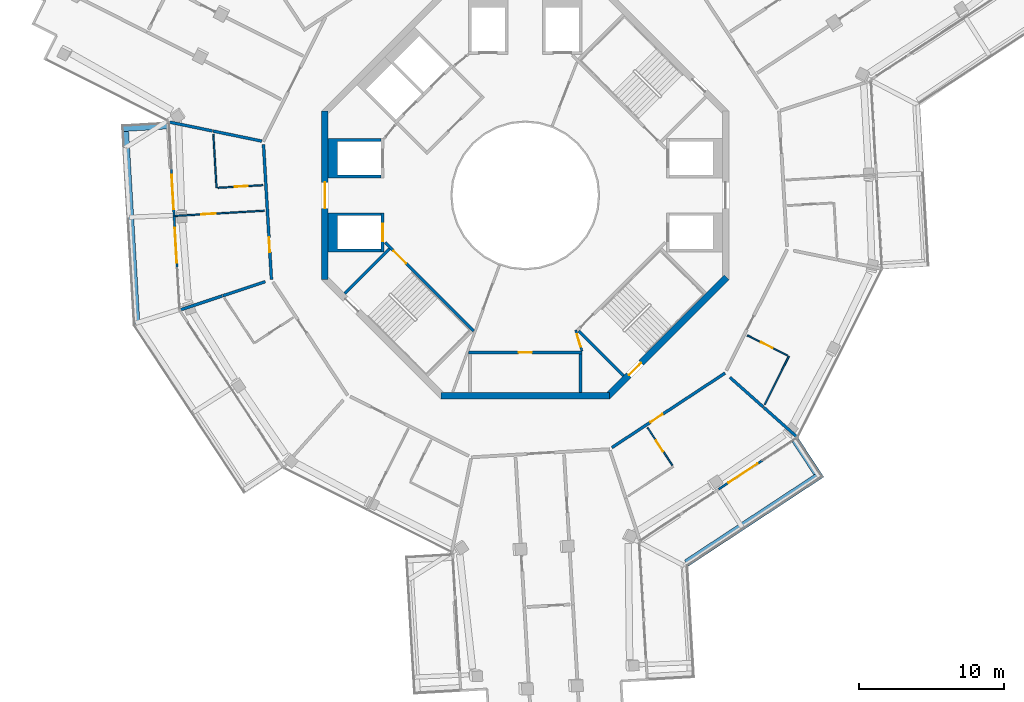
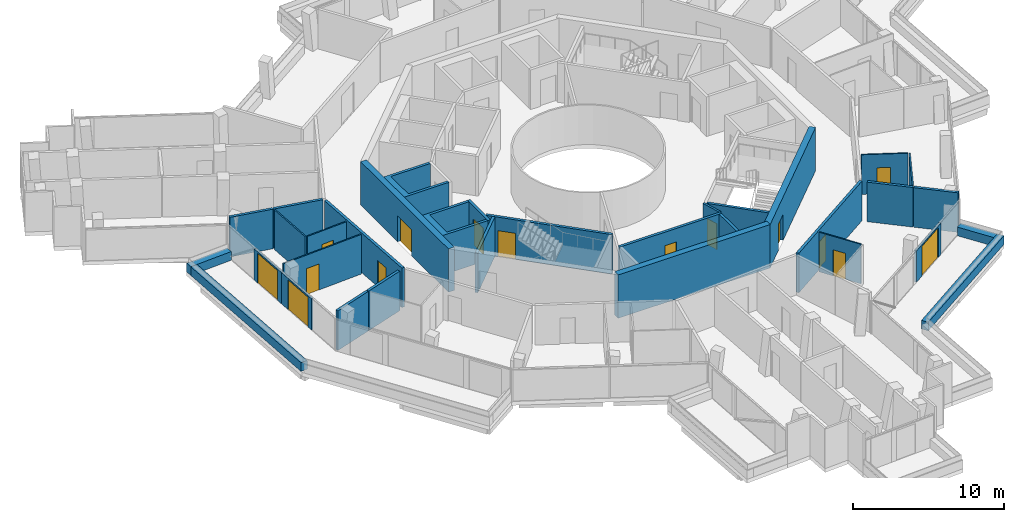
# One storey, part 19 of 26: 33 walls, 15 doors, 15 openings.
"""IFC4 building model written with IfcOpenShell, lengths in metres."""

from ifc_helpers import new_model, si_unit, direction, frame, frame_2d, origin, place, context, subcontext, project, spatial, polyline, rectangle, outline, extrude, material, layer, layer_set, type_object, element, fill, save


model = new_model("IFC4")

# Units and contexts
model_context = context("Model", 3, precision=1e-05, world=origin(), true_north=direction((0.0, 1.0)))
body_context = subcontext(model_context, "Body", "Model", "MODEL_VIEW")
ifc_project = project(units=[si_unit("LENGTHUNIT", "METRE"), si_unit("AREAUNIT", "SQUARE_METRE"), si_unit("VOLUMEUNIT", "CUBIC_METRE"), si_unit("PLANEANGLEUNIT", "RADIAN"), si_unit("MASSUNIT", "GRAM", prefix="KILO")], contexts=[model_context])

# Site, building, storey
site_placement = place(None, origin())
site = spatial("IfcSite", under=ifc_project, at=site_placement, CompositionType="ELEMENT")
building_placement = place(site_placement, origin())
building = spatial("IfcBuilding", under=site, at=building_placement, Name="Verdalira Terraces Hotel", CompositionType="ELEMENT")
storey_placement = place(building_placement, frame((0.0, 0.0, 291.5)))
storey = spatial("IfcBuildingStorey", under=building, at=storey_placement, Name="L72", CompositionType="ELEMENT", Elevation=291.5)

# Walls
ifc_material_1 = material(Name="Concrete C40", Category="concrete")
ifc_layer_1 = layer(ifc_material_1, 0.5)
ifc_layer_set_1 = layer_set([ifc_layer_1], Name="Balcony planter trough with tree")
wall_type_1 = type_object("IfcWallType", Name="Balcony planter trough with tree", PredefinedType="SOLIDWALL", material=ifc_layer_set_1)
wall_1_placement = place(storey_placement, frame((-24.583984, 4.817383, 0.0), z_axis=(0.0, 0.0, 1.0), x_axis=(-0.998280684, -0.058614646, 0.0)))
element("IfcWall", 1, at=wall_1_placement, inside=storey, type_object=wall_type_1, Name="Balcony planter", PredefinedType="SOLIDWALL", context=body_context, shape_type="SweptSolid", body=[
    extrude(rectangle(XDim=3.198975, YDim=0.5, at=frame_2d((1.599609, 0.0))), origin(), (0.0, 0.0, 1.0), 0.699951),
])
wall_2_placement = place(storey_placement, frame((-27.513184, 4.39502, 0.0), z_axis=(0.0, 0.0, 1.0), x_axis=(0.058600804, -0.998281496, 0.0)))
element("IfcWall", 2, at=wall_2_placement, inside=storey, type_object=wall_type_1, Name="Balcony planter", PredefinedType="SOLIDWALL", context=body_context, shape_type="SweptSolid", body=[
    extrude(rectangle(XDim=13.223389, YDim=0.5, at=frame_2d((6.611816, 0.0))), origin(), (0.0, 0.0, 1.0), 0.699951),
])
wall_3_placement = place(storey_placement, frame((11.075928, -25.283691, 0.0), z_axis=(0.0, 0.0, 1.0), x_axis=(0.83522923, 0.549901931, 0.0)))
element("IfcWall", 3, at=wall_3_placement, inside=storey, type_object=wall_type_1, Name="Balcony planter", PredefinedType="SOLIDWALL", context=body_context, shape_type="SweptSolid", body=[
    extrude(rectangle(XDim=11.152588, YDim=0.5, at=frame_2d((5.576172, 0.0))), origin(), (0.0, 0.0, 1.0), 0.699951),
])
wall_4_placement = place(storey_placement, frame((20.044434, -19.07959, 0.0), z_axis=(0.0, 0.0, 1.0), x_axis=(-0.549868995, 0.835250913, 0.0)))
element("IfcWall", 4, at=wall_4_placement, inside=storey, type_object=wall_type_1, Name="Balcony planter", PredefinedType="SOLIDWALL", context=body_context, shape_type="SweptSolid", body=[
    extrude(rectangle(XDim=2.698975, YDim=0.5, at=frame_2d((1.349609, 0.0))), origin(), (0.0, 0.0, 1.0), 0.699951),
])
ifc_material_2 = material(Name="Moisture-resistant gypsum board partition")
ifc_layer_2 = layer(ifc_material_2, 0.10009765625)
ifc_layer_set_2 = layer_set([ifc_layer_2], Name="Bathroom partition 100 mm")
wall_type_2 = type_object("IfcWallType", Name="Bathroom partition 100 mm", PredefinedType="PARTITIONING", material=ifc_layer_set_2)
wall_5_placement = place(storey_placement, frame((-21.442139, 4.212891, 0.0), z_axis=(0.0, 0.0, 1.0), x_axis=(0.058594519, -0.998281865, 0.0)))
element("IfcWall", 5, at=wall_5_placement, inside=storey, type_object=wall_type_2, Name="Bathroom partition", PredefinedType="PARTITIONING", context=body_context, shape_type="SweptSolid", body=[
    extrude(rectangle(XDim=3.704102, YDim=0.100098, at=frame_2d((1.852051, 0.0))), origin(), (0.0, 0.0, 1.0), 3.189941),
])

# Wall, opening, door
wall_6_placement = place(storey_placement, frame((-24.066895, -1.413086, 0.0), z_axis=(0.0, 0.0, 1.0), x_axis=(0.998279571, 0.058633592, 0.0)))
wall_6 = element("IfcWall", 6, at=wall_6_placement, inside=storey, type_object=wall_type_2, Name="Bathroom partition", PredefinedType="PARTITIONING", context=body_context, shape_type="SweptSolid", body=[
    extrude(rectangle(XDim=6.149902, YDim=0.100098, at=frame_2d((3.074951, 0.0))), origin(), (0.0, 0.0, 1.0), 3.189941),
])
opening_1_placement = place(wall_6_placement, frame((1.800049, 0.0, 0.0)))
opening_1 = element("IfcOpeningElement", 7, at=opening_1_placement, cuts=wall_6, Name="Opening L72-106", PredefinedType="OPENING", context=body_context, shape_type="SweptSolid", body=[
    extrude(rectangle(XDim=1.0, YDim=2.100098, at=frame_2d((0.5, 1.050049))), frame((0.0, 0.060059, 0.0), z_axis=(0.0, -1.0, 0.0), x_axis=(1.0, 0.0, 0.0)), (0.0, 0.0, 1.0), 0.120117),
])
ifc_material_3 = material(Name="Timber door", Category="wood")
door_type_1 = type_object("IfcDoorType", Name="Suite internal door 1000 x 2100", OperationType="NOTDEFINED", PredefinedType="DOOR", material=ifc_material_3)
door_1_placement = place(opening_1_placement, origin())
door_1 = element("IfcDoor", 8, at=door_1_placement, inside=storey, type_object=door_type_1, Name="Suite internal door 7202", OperationType="SINGLE_SWING_LEFT", OverallHeight=2.10009765625, OverallWidth=1.0, PredefinedType="DOOR", context=body_context, shape_type="SweptSolid", body=[
    extrude(rectangle(XDim=1.0, YDim=2.100098, at=frame_2d((0.5, 1.050049))), frame((0.0, 0.024902, 0.0), z_axis=(0.0, -1.0, 0.0), x_axis=(1.0, 0.0, 0.0)), (0.0, 0.0, 1.0), 0.050049),
])
fill(opening_1, door_1)

wall_7_placement = place(storey_placement, frame((-21.125244, 0.520996, 0.0), z_axis=(0.0, 0.0, 1.0), x_axis=(0.998277359, 0.05867124, 0.0)))
wall_7 = element("IfcWall", 9, at=wall_7_placement, inside=storey, type_object=wall_type_2, Name="Bathroom partition", PredefinedType="PARTITIONING", context=body_context, shape_type="SweptSolid", body=[
    extrude(rectangle(XDim=3.100098, YDim=0.100098, at=frame_2d((1.550049, 0.0))), origin(), (0.0, 0.0, 1.0), 3.189941),
])
opening_2_placement = place(wall_7_placement, frame((1.149902, 0.0, 0.0)))
opening_2 = element("IfcOpeningElement", 10, at=opening_2_placement, cuts=wall_7, Name="Opening L72-107", PredefinedType="OPENING", context=body_context, shape_type="SweptSolid", body=[
    extrude(rectangle(XDim=0.899902, YDim=2.100098, at=frame_2d((0.449951, 1.050049))), frame((0.0, 0.060059, 0.0), z_axis=(0.0, -1.0, 0.0), x_axis=(1.0, 0.0, 0.0)), (0.0, 0.0, 1.0), 0.120117),
])
ifc_material_4 = material(Name="Timber door", Category="wood")
door_type_2 = type_object("IfcDoorType", Name="Bathroom door 900 x 2100", OperationType="NOTDEFINED", PredefinedType="DOOR", material=ifc_material_4)
door_2_placement = place(opening_2_placement, origin())
door_2 = element("IfcDoor", 11, at=door_2_placement, inside=storey, type_object=door_type_2, Name="Bathroom door 7202", OperationType="SINGLE_SWING_LEFT", OverallHeight=2.10009765625, OverallWidth=0.89990234375, PredefinedType="DOOR", context=body_context, shape_type="SweptSolid", body=[
    extrude(rectangle(XDim=0.899902, YDim=2.100098, at=frame_2d((0.449951, 1.050049))), frame((0.0, 0.024902, 0.0), z_axis=(0.0, -1.0, 0.0), x_axis=(1.0, 0.0, 0.0)), (0.0, 0.0, 1.0), 0.050049),
])
fill(opening_2, door_2)

wall_8_placement = place(storey_placement, frame((10.111328, -18.55542, 0.0), z_axis=(0.0, 0.0, 1.0), x_axis=(-0.549947695, 0.835199098, 0.0)))
wall_8 = element("IfcWall", 12, at=wall_8_placement, inside=storey, type_object=wall_type_2, Name="Bathroom partition", PredefinedType="PARTITIONING", context=body_context, shape_type="SweptSolid", body=[
    extrude(rectangle(XDim=3.100098, YDim=0.100098, at=frame_2d((1.550049, 0.0))), origin(), (0.0, 0.0, 1.0), 3.189941),
])
opening_3_placement = place(wall_8_placement, frame((1.149902, 0.0, 0.0)))
opening_3 = element("IfcOpeningElement", 13, at=opening_3_placement, cuts=wall_8, Name="Opening L72-118", PredefinedType="OPENING", context=body_context, shape_type="SweptSolid", body=[
    extrude(rectangle(XDim=0.899902, YDim=2.100098, at=frame_2d((0.449951, 1.050049))), frame((0.0, 0.060059, 0.0), z_axis=(0.0, -1.0, 0.0), x_axis=(1.0, 0.0, 0.0)), (0.0, 0.0, 1.0), 0.120117),
])
door_3_placement = place(opening_3_placement, origin())
door_3 = element("IfcDoor", 14, at=door_3_placement, inside=storey, type_object=door_type_2, Name="Bathroom door 7206", OperationType="SINGLE_SWING_LEFT", OverallHeight=2.10009765625, OverallWidth=0.89990234375, PredefinedType="DOOR", context=body_context, shape_type="SweptSolid", body=[
    extrude(rectangle(XDim=0.899902, YDim=2.100098, at=frame_2d((0.449951, 1.050049))), frame((0.0, 0.024902, 0.0), z_axis=(0.0, -1.0, 0.0), x_axis=(1.0, 0.0, 0.0)), (0.0, 0.0, 1.0), 0.050049),
])
fill(opening_3, door_3)

wall_9_placement = place(storey_placement, frame((18.034424, -11.013916, 0.0), z_axis=(0.0, 0.0, 1.0), x_axis=(-0.89382788, 0.448410216, 0.0)))
wall_9 = element("IfcWall", 15, at=wall_9_placement, inside=storey, type_object=wall_type_2, Name="Bathroom partition", PredefinedType="PARTITIONING", context=body_context, shape_type="SweptSolid", body=[
    extrude(rectangle(XDim=3.100098, YDim=0.100098, at=frame_2d((1.550049, 0.0))), origin(), (0.0, 0.0, 1.0), 3.189941),
])
opening_4_placement = place(wall_9_placement, frame((1.149902, 0.0, 0.0)))
opening_4 = element("IfcOpeningElement", 16, at=opening_4_placement, cuts=wall_9, Name="Opening L72-120", PredefinedType="OPENING", context=body_context, shape_type="SweptSolid", body=[
    extrude(rectangle(XDim=0.899902, YDim=2.100098, at=frame_2d((0.449951, 1.050049))), frame((0.0, 0.060059, 0.0), z_axis=(0.0, -1.0, 0.0), x_axis=(1.0, 0.0, 0.0)), (0.0, 0.0, 1.0), 0.120117),
])
door_4_placement = place(opening_4_placement, origin())
door_4 = element("IfcDoor", 17, at=door_4_placement, inside=storey, type_object=door_type_2, Name="Bathroom door 7207", OperationType="SINGLE_SWING_LEFT", OverallHeight=2.10009765625, OverallWidth=0.89990234375, PredefinedType="DOOR", context=body_context, shape_type="SweptSolid", body=[
    extrude(rectangle(XDim=0.899902, YDim=2.100098, at=frame_2d((0.449951, 1.050049))), frame((0.0, 0.024902, 0.0), z_axis=(0.0, -1.0, 0.0), x_axis=(1.0, 0.0, 0.0)), (0.0, 0.0, 1.0), 0.050049),
])
fill(opening_4, door_4)

# Walls
wall_10_placement = place(storey_placement, frame((18.123779, -11.058594, 0.0), z_axis=(0.0, 0.0, 1.0), x_axis=(-0.448399619, -0.893833196, 0.0)))
element("IfcWall", 18, at=wall_10_placement, inside=storey, type_object=wall_type_2, Name="Bathroom partition", PredefinedType="PARTITIONING", context=body_context, shape_type="SweptSolid", body=[
    extrude(rectangle(XDim=3.704102, YDim=0.100098, at=frame_2d((1.852051, 0.0))), origin(), (0.0, 0.0, 1.0), 3.189941),
])
ifc_material_5 = material(Name="Concrete C50", Category="concrete")
ifc_layer_3 = layer(ifc_material_5, 0.199951171875)
ifc_layer_set_3 = layer_set([ifc_layer_3], Name="Core RC wall 200 C50")
wall_type_3 = type_object("IfcWallType", Name="Core RC wall 200 C50", PredefinedType="SOLIDWALL", material=ifc_layer_set_3)
wall_11_placement = place(storey_placement, origin())
element("IfcWall", 19, at=wall_11_placement, inside=storey, type_object=wall_type_3, Name="L72 shaft wall W1", PredefinedType="SOLIDWALL", context=body_context, shape_type="SweptSolid", body=[
    extrude(outline(polyline([(-13.550049, 3.899902), (-9.899902, 3.899902), (-9.899902, 3.699951), (-12.899902, 3.699951), (-12.899902, 1.399902), (-9.899902, 1.399902), (-9.899902, 1.199951), (-13.550049, 1.199951), (-13.550049, 3.899902)])), origin(), (0.0, 0.0, 1.0), 3.189941),
])
wall_12_placement = place(storey_placement, origin())
element("IfcWall", 20, at=wall_12_placement, inside=storey, type_object=wall_type_3, Name="L72 shaft wall W2", PredefinedType="SOLIDWALL", context=body_context, shape_type="SweptSolid", body=[
    extrude(outline(polyline([(-13.550049, -3.899902), (-13.550049, -1.199951), (-9.899902, -1.199951), (-9.899902, -1.399902), (-12.899902, -1.399902), (-12.899902, -3.699951), (-9.899902, -3.699951), (-9.899902, -3.899902), (-13.550049, -3.899902)])), origin(), (0.0, 0.0, 1.0), 3.189941),
])

# Wall, opening, door
wall_13_placement = place(storey_placement, frame((-9.800049, -1.199951, 0.0), z_axis=(0.0, 0.0, 1.0), x_axis=(0.0, -1.0, 0.0)))
wall_13 = element("IfcWall", 21, at=wall_13_placement, inside=storey, type_object=wall_type_3, Name="L72 shaft front wall W2", PredefinedType="SOLIDWALL", context=body_context, shape_type="SweptSolid", body=[
    extrude(rectangle(XDim=2.699951, YDim=0.199951, at=frame_2d((1.350098, 0.0))), origin(), (0.0, 0.0, 1.0), 3.189941),
])
opening_5_placement = place(wall_13_placement, frame((0.75, 0.0, 0.0)))
opening_5 = element("IfcOpeningElement", 22, at=opening_5_placement, cuts=wall_13, Name="Opening LD-L72-807", PredefinedType="OPENING", context=body_context, shape_type="SweptSolid", body=[
    extrude(rectangle(XDim=1.199951, YDim=2.100098, at=frame_2d((0.600098, 1.050049))), frame((0.0, 0.109863, 0.0), z_axis=(0.0, -1.0, 0.0), x_axis=(1.0, 0.0, 0.0)), (0.0, 0.0, 1.0), 0.219971),
])
ifc_material_6 = material(Name="Stainless steel", Category="steel")
door_type_3 = type_object("IfcDoorType", Name="Landing door 1200 x 2100", OperationType="NOTDEFINED", PredefinedType="DOOR", material=ifc_material_6)
door_5_placement = place(opening_5_placement, origin())
door_5 = element("IfcDoor", 23, at=door_5_placement, inside=storey, type_object=door_type_3, Name="Lift landing door HR6 L72", OperationType="DOUBLE_DOOR_SLIDING", OverallHeight=2.10009765625, OverallWidth=1.199951171875, PredefinedType="DOOR", context=body_context, shape_type="SweptSolid", body=[
    extrude(rectangle(XDim=1.199951, YDim=2.100098, at=frame_2d((0.600098, 1.050049))), frame((0.0, 0.024902, 0.0), z_axis=(0.0, -1.0, 0.0), x_axis=(1.0, 0.0, 0.0)), (0.0, 0.0, 1.0), 0.050049),
])
fill(opening_5, door_5)

wall_14_placement = place(storey_placement, frame((-3.899902, -10.800049, 0.0), z_axis=(0.0, 0.0, 1.0), x_axis=(1.0, 0.0, 0.0)))
wall_14 = element("IfcWall", 24, at=wall_14_placement, inside=storey, type_object=wall_type_3, Name="L72 store front wall", PredefinedType="SOLIDWALL", context=body_context, shape_type="SweptSolid", body=[
    extrude(rectangle(XDim=7.799805, YDim=0.199951, at=frame_2d((3.899902, 0.0))), origin(), (0.0, 0.0, 1.0), 3.189941),
])
opening_6_placement = place(wall_14_placement, frame((3.449951, 0.0, 0.0)))
opening_6 = element("IfcOpeningElement", 25, at=opening_6_placement, cuts=wall_14, Name="Opening L72-801", PredefinedType="OPENING", context=body_context, shape_type="SweptSolid", body=[
    extrude(rectangle(XDim=0.899902, YDim=2.100098, at=frame_2d((0.449951, 1.050049))), frame((0.0, 0.109863, 0.0), z_axis=(0.0, -1.0, 0.0), x_axis=(1.0, 0.0, 0.0)), (0.0, 0.0, 1.0), 0.219971),
])
ifc_material_7 = material(Name="Steel fire door", Category="steel")
door_type_4 = type_object("IfcDoorType", Name="Core room door 900 x 2100", OperationType="NOTDEFINED", PredefinedType="DOOR", material=ifc_material_7)
door_6_placement = place(opening_6_placement, origin())
door_6 = element("IfcDoor", 26, at=door_6_placement, inside=storey, type_object=door_type_4, Name="Store door L72 SS", OperationType="SINGLE_SWING_LEFT", OverallHeight=2.10009765625, OverallWidth=0.89990234375, PredefinedType="DOOR", context=body_context, shape_type="SweptSolid", body=[
    extrude(rectangle(XDim=0.899902, YDim=2.100098, at=frame_2d((0.449951, 1.050049))), frame((0.0, 0.024902, 0.0), z_axis=(0.0, -1.0, 0.0), x_axis=(1.0, 0.0, 0.0)), (0.0, 0.0, 1.0), 0.050049),
])
fill(opening_6, door_6)

# Wall
wall_15_placement = place(storey_placement, frame((3.800049, -10.899902, 0.0), z_axis=(0.0, 0.0, 1.0), x_axis=(0.0, -1.0, 0.0)))
element("IfcWall", 27, at=wall_15_placement, inside=storey, type_object=wall_type_3, Name="L72 store side wall", PredefinedType="SOLIDWALL", context=body_context, shape_type="SweptSolid", body=[
    extrude(rectangle(XDim=2.650146, YDim=0.199951, at=frame_2d((1.325195, 0.0))), origin(), (0.0, 0.0, 1.0), 3.189941),
])

# Wall, opening, door
wall_16_placement = place(storey_placement, frame((-3.5354, -9.33374, 0.0), z_axis=(0.0, 0.0, 1.0), x_axis=(-0.707120946, 0.707092617, 0.0)))
wall_16 = element("IfcWall", 28, at=wall_16_placement, inside=storey, type_object=wall_type_3, Name="L72 stair ST2 front wall", PredefinedType="SOLIDWALL", context=body_context, shape_type="SweptSolid", body=[
    extrude(rectangle(XDim=8.61792, YDim=0.199951, at=frame_2d((4.309082, 0.0))), origin(), (0.0, 0.0, 1.0), 3.189941),
])
opening_7_placement = place(wall_16_placement, frame((6.600098, 0.0, 0.0)))
opening_7 = element("IfcOpeningElement", 29, at=opening_7_placement, cuts=wall_16, Name="Opening L72-811", PredefinedType="OPENING", context=body_context, shape_type="SweptSolid", body=[
    extrude(rectangle(XDim=1.199951, YDim=2.100098, at=frame_2d((0.600098, 1.050049))), frame((0.0, 0.109863, 0.0), z_axis=(0.0, -1.0, 0.0), x_axis=(1.0, 0.0, 0.0)), (0.0, 0.0, 1.0), 0.219971),
])
ifc_material_8 = material(Name="Steel fire door", Category="steel")
door_type_5 = type_object("IfcDoorType", Name="Stair door 1200 x 2100", OperationType="NOTDEFINED", PredefinedType="DOOR", material=ifc_material_8)
door_7_placement = place(opening_7_placement, origin())
door_7 = element("IfcDoor", 30, at=door_7_placement, inside=storey, type_object=door_type_5, Name="Stair door ST2 L72", OperationType="SINGLE_SWING_RIGHT", OverallHeight=2.10009765625, OverallWidth=1.199951171875, PredefinedType="DOOR", context=body_context, shape_type="SweptSolid", body=[
    extrude(rectangle(XDim=1.199951, YDim=2.100098, at=frame_2d((0.600098, 1.050049))), frame((0.0, 0.024902, 0.0), z_axis=(0.0, -1.0, 0.0), x_axis=(1.0, 0.0, 0.0)), (0.0, 0.0, 1.0), 0.050049),
])
fill(opening_7, door_7)

# Walls
for number, where, z_axis, x_axis, name in (
    (31, (-9.33374, -3.677002, 0.0), (0.0, 0.0, 1.0), (-0.707106781, -0.707106781, 0.0), "L72 stair ST2 end wall 1"),
    (32, (3.677002, -9.33374, 0.0), (0.0, 0.0, 1.0), (0.707106781, -0.707106781, 0.0), "L72 stair ST3 end wall 1"),
):
    element("IfcWall", number, at=place(storey_placement, frame(where, z_axis=z_axis, x_axis=x_axis)), inside=storey, type_object=wall_type_3, Name=name, PredefinedType="SOLIDWALL", context=body_context, shape_type="SweptSolid", body=[
        extrude(rectangle(XDim=4.350098, YDim=0.199951, at=frame_2d((2.175049, 0.0))), origin(), (0.0, 0.0, 1.0), 3.189941),
    ])

# Wall, opening, door
ifc_material_9 = material(Name="Gypsum board partition")
ifc_layer_4 = layer(ifc_material_9, 0.14990234375)
ifc_layer_set_4 = layer_set([ifc_layer_4], Name="Core partition 150 mm")
wall_type_4 = type_object("IfcWallType", Name="Core partition 150 mm", PredefinedType="PARTITIONING", material=ifc_layer_set_4)
wall_17_placement = place(storey_placement, frame((3.899902, -10.699951, 0.0), z_axis=(0.0, 0.0, 1.0), x_axis=(-0.289808785, 0.957084567, 0.0)))
wall_17 = element("IfcWall", 33, at=wall_17_placement, inside=storey, type_object=wall_type_4, Name="Room partition L72", PredefinedType="PARTITIONING", context=body_context, shape_type="SweptSolid", body=[
    extrude(rectangle(XDim=1.501221, YDim=0.149902, at=frame_2d((0.750488, 0.0))), origin(), (0.0, 0.0, 1.0), 3.189941),
])
opening_8_placement = place(wall_17_placement, frame((0.300781, 0.0, 0.0)))
opening_8 = element("IfcOpeningElement", 34, at=opening_8_placement, cuts=wall_17, Name="Opening L72-822", PredefinedType="OPENING", context=body_context, shape_type="SweptSolid", body=[
    extrude(rectangle(XDim=0.899902, YDim=2.100098, at=frame_2d((0.449951, 1.050049))), frame((0.0, 0.084961, 0.0), z_axis=(0.0, -1.0, 0.0), x_axis=(1.0, 0.0, 0.0)), (0.0, 0.0, 1.0), 0.169922),
])
door_8_placement = place(opening_8_placement, origin())
door_8 = element("IfcDoor", 35, at=door_8_placement, inside=storey, type_object=door_type_4, Name="Door L72 room6", OperationType="SINGLE_SWING_LEFT", OverallHeight=2.10009765625, OverallWidth=0.89990234375, PredefinedType="DOOR", context=body_context, shape_type="SweptSolid", body=[
    extrude(rectangle(XDim=0.899902, YDim=2.100098, at=frame_2d((0.449951, 1.050049))), frame((0.0, 0.024902, 0.0), z_axis=(0.0, -1.0, 0.0), x_axis=(1.0, 0.0, 0.0)), (0.0, 0.0, 1.0), 0.050049),
])
fill(opening_8, door_8)

ifc_material_10 = material(Name="Concrete C50", Category="concrete")
ifc_layer_5 = layer(ifc_material_10, 0.449951171875)
ifc_layer_set_5 = layer_set([ifc_layer_5], Name="Core wall 450 C50")
wall_type_5 = type_object("IfcWallType", Name="Core wall 450 C50", PredefinedType="SHEAR", material=ifc_layer_set_5)
wall_18_placement = place(storey_placement, frame((-13.774902, 5.799072, 0.0), z_axis=(0.0, 0.0, 1.0), x_axis=(0.0, -1.0, 0.0)))
wall_18 = element("IfcWall", 36, at=wall_18_placement, inside=storey, type_object=wall_type_5, Name="Core wall CW-L72-5", PredefinedType="SHEAR", context=body_context, shape_type="SweptSolid", body=[
    extrude(rectangle(XDim=11.598145, YDim=0.449951, at=frame_2d((5.799072, 0.0))), origin(), (0.0, 0.0, 1.0), 3.5),
])
opening_9_placement = place(wall_18_placement, frame((4.898926, 0.0, 0.0)))
opening_9 = element("IfcOpeningElement", 37, at=opening_9_placement, cuts=wall_18, Name="Opening L72-815", PredefinedType="OPENING", context=body_context, shape_type="SweptSolid", body=[
    extrude(rectangle(XDim=1.800049, YDim=2.100098, at=frame_2d((0.899902, 1.050049))), frame((0.0, 0.234863, 0.0), z_axis=(0.0, -1.0, 0.0), x_axis=(1.0, 0.0, 0.0)), (0.0, 0.0, 1.0), 0.469971),
])
ifc_material_11 = material(Name="Steel fire door", Category="steel")
door_type_6 = type_object("IfcDoorType", Name="Core entry door pair 1800 x 2100", OperationType="NOTDEFINED", PredefinedType="DOOR", material=ifc_material_11)
door_9_placement = place(opening_9_placement, origin())
door_9 = element("IfcDoor", 38, at=door_9_placement, inside=storey, type_object=door_type_6, Name="Core entry door L72 4", OperationType="DOUBLE_DOOR_SINGLE_SWING", OverallHeight=2.10009765625, OverallWidth=1.800048828125, PredefinedType="DOOR", context=body_context, shape_type="SweptSolid", body=[
    extrude(rectangle(XDim=1.800049, YDim=2.100098, at=frame_2d((0.899902, 1.050049))), frame((0.0, 0.024902, 0.0), z_axis=(0.0, -1.0, 0.0), x_axis=(1.0, 0.0, 0.0)), (0.0, 0.0, 1.0), 0.050049),
])
fill(opening_9, door_9)

# Wall
wall_19_placement = place(storey_placement, frame((-5.799072, -13.774902, 0.0), z_axis=(0.0, 0.0, 1.0), x_axis=(1.0, 0.0, 0.0)))
element("IfcWall", 39, at=wall_19_placement, inside=storey, type_object=wall_type_5, Name="Core wall CW-L72-7", PredefinedType="SHEAR", context=body_context, shape_type="SweptSolid", body=[
    extrude(rectangle(XDim=11.598145, YDim=0.449951, at=frame_2d((5.799072, 0.0))), origin(), (0.0, 0.0, 1.0), 3.5),
])

# Wall, opening, door
wall_20_placement = place(storey_placement, frame((5.639893, -13.84082, 0.0), z_axis=(0.0, 0.0, 1.0), x_axis=(0.707106781, 0.707106781, 0.0)))
wall_20 = element("IfcWall", 40, at=wall_20_placement, inside=storey, type_object=wall_type_5, Name="Core wall CW-L72-8", PredefinedType="SHEAR", context=body_context, shape_type="SweptSolid", body=[
    extrude(rectangle(XDim=11.5979, YDim=0.449951, at=frame_2d((5.798828, 0.0))), origin(), (0.0, 0.0, 1.0), 3.5),
])
opening_10_placement = place(wall_20_placement, frame((2.099121, 0.0, 0.0)))
opening_10 = element("IfcOpeningElement", 41, at=opening_10_placement, cuts=wall_20, Name="Opening L72-818", PredefinedType="OPENING", context=body_context, shape_type="SweptSolid", body=[
    extrude(rectangle(XDim=1.199951, YDim=2.100098, at=frame_2d((0.600098, 1.050049))), frame((0.0, 0.234863, 0.0), z_axis=(0.0, -1.0, 0.0), x_axis=(1.0, 0.0, 0.0)), (0.0, 0.0, 1.0), 0.469971),
])
door_10_placement = place(opening_10_placement, origin())
door_10 = element("IfcDoor", 42, at=door_10_placement, inside=storey, type_object=door_type_5, Name="Stair exit door ST3 L72", OperationType="SINGLE_SWING_LEFT", OverallHeight=2.10009765625, OverallWidth=1.199951171875, PredefinedType="DOOR", context=body_context, shape_type="SweptSolid", body=[
    extrude(rectangle(XDim=1.199951, YDim=2.100098, at=frame_2d((0.600098, 1.050049))), frame((0.0, 0.024902, 0.0), z_axis=(0.0, -1.0, 0.0), x_axis=(1.0, 0.0, 0.0)), (0.0, 0.0, 1.0), 0.050049),
])
fill(opening_10, door_10)

# Walls
ifc_material_12 = material(Name="Fire-rated gypsum board wall")
ifc_layer_6 = layer(ifc_material_12, 0.199951171875)
ifc_layer_set_6 = layer_set([ifc_layer_6], Name="Demising wall 200 mm")
wall_type_6 = type_object("IfcWallType", Name="Demising wall 200 mm", PredefinedType="SOLIDWALL", material=ifc_layer_set_6)
for number, where, z_axis, x_axis, name in (
    (43, (-21.501221, 4.429199, 0.0), (0.0, 0.0, 1.0), (-0.979429248, 0.201787882, 0.0), "Demising wall"),
    (44, (-20.835205, -6.914795, 0.0), (0.0, 0.0, 1.0), (-0.949104027, -0.31496277, 0.0), "Demising wall"),
):
    element("IfcWall", number, at=place(storey_placement, frame(where, z_axis=z_axis, x_axis=x_axis)), inside=storey, type_object=wall_type_6, Name=name, PredefinedType="SOLIDWALL", context=body_context, shape_type="SweptSolid", body=[
        extrude(rectangle(XDim=3.011475, YDim=0.199951, at=frame_2d((1.505859, 0.0))), origin(), (0.0, 0.0, 1.0), 3.189941),
    ])
wall_21_placement = place(storey_placement, frame((-18.108154, 3.730225, 0.0), z_axis=(0.0, 0.0, 1.0), x_axis=(-0.979435464, 0.201757706, 0.0)))
element("IfcWall", 45, at=wall_21_placement, inside=storey, type_object=wall_type_6, Name="Demising wall", PredefinedType="SOLIDWALL", context=body_context, shape_type="SweptSolid", body=[
    extrude(rectangle(XDim=3.418457, YDim=0.199951, at=frame_2d((1.709229, 0.0))), origin(), (0.0, 0.0, 1.0), 3.189941),
])
for number, where, z_axis, x_axis, name in (
    (46, (-17.873291, -5.931885, 0.0), (0.0, 0.0, 1.0), (-0.949095381, -0.314988821, 0.0), "Demising wall"),
    (47, (14.07373, -12.512939, 0.0), (0.0, 0.0, 1.0), (0.747339221, -0.66444269, 0.0), "Demising wall"),
):
    element("IfcWall", number, at=place(storey_placement, frame(where, z_axis=z_axis, x_axis=x_axis)), inside=storey, type_object=wall_type_6, Name=name, PredefinedType="SOLIDWALL", context=body_context, shape_type="SweptSolid", body=[
        extrude(rectangle(XDim=3.074707, YDim=0.199951, at=frame_2d((1.537354, 0.0))), origin(), (0.0, 0.0, 1.0), 3.189941),
    ])
wall_22_placement = place(storey_placement, frame((16.406006, -14.586426, 0.0), z_axis=(0.0, 0.0, 1.0), x_axis=(0.747319853, -0.664464474, 0.0)))
element("IfcWall", 48, at=wall_22_placement, inside=storey, type_object=wall_type_6, Name="Demising wall", PredefinedType="SOLIDWALL", context=body_context, shape_type="SweptSolid", body=[
    extrude(rectangle(XDim=3.011475, YDim=0.199951, at=frame_2d((1.505859, 0.0))), origin(), (0.0, 0.0, 1.0), 3.189941),
])

# Wall, opening, door
ifc_material_13 = material(Name="Fire-rated gypsum board wall")
ifc_layer_7 = layer(ifc_material_13, 0.199951171875)
ifc_layer_set_7 = layer_set([ifc_layer_7], Name="Guest corridor wall 200 mm")
wall_type_7 = type_object("IfcWallType", Name="Guest corridor wall 200 mm", PredefinedType="SOLIDWALL", material=ifc_layer_set_7)
wall_23_placement = place(storey_placement, frame((-17.448975, -5.791016, 0.0), z_axis=(0.0, 0.0, 1.0), x_axis=(-0.058619102, 0.998280422, 0.0)))
wall_23 = element("IfcWall", 49, at=wall_23_placement, inside=storey, type_object=wall_type_7, Name="Guest corridor wall", PredefinedType="SOLIDWALL", context=body_context, shape_type="SweptSolid", body=[
    extrude(rectangle(XDim=9.316895, YDim=0.199951, at=frame_2d((4.658447, 0.0))), origin(), (0.0, 0.0, 1.0), 3.189941),
])
opening_11_placement = place(wall_23_placement, frame((1.899902, 0.0, 0.0)))
opening_11 = element("IfcOpeningElement", 50, at=opening_11_placement, cuts=wall_23, Name="Opening L72-105", PredefinedType="OPENING", context=body_context, shape_type="SweptSolid", body=[
    extrude(rectangle(XDim=1.0, YDim=2.100098, at=frame_2d((0.5, 1.050049))), frame((0.0, 0.109863, 0.0), z_axis=(0.0, -1.0, 0.0), x_axis=(1.0, 0.0, 0.0)), (0.0, 0.0, 1.0), 0.219971),
])
ifc_material_14 = material(Name="Timber fire door", Category="wood")
door_type_7 = type_object("IfcDoorType", Name="Guest entry door 1000 x 2100", OperationType="NOTDEFINED", PredefinedType="DOOR", material=ifc_material_14)
door_11_placement = place(opening_11_placement, origin())
door_11 = element("IfcDoor", 51, at=door_11_placement, inside=storey, type_object=door_type_7, Name="Guest entry door 7202", OperationType="SINGLE_SWING_LEFT", OverallHeight=2.10009765625, OverallWidth=1.0, PredefinedType="DOOR", context=body_context, shape_type="SweptSolid", body=[
    extrude(rectangle(XDim=1.0, YDim=2.100098, at=frame_2d((0.5, 1.050049))), frame((0.0, 0.024902, 0.0), z_axis=(0.0, -1.0, 0.0), x_axis=(1.0, 0.0, 0.0)), (0.0, 0.0, 1.0), 0.050049),
])
fill(opening_11, door_11)

wall_24_placement = place(storey_placement, frame((13.739502, -12.21582, 0.0), z_axis=(0.0, 0.0, 1.0), x_axis=(-0.835237502, -0.549889366, 0.0)))
wall_24 = element("IfcWall", 52, at=wall_24_placement, inside=storey, type_object=wall_type_7, Name="Guest corridor wall", PredefinedType="SOLIDWALL", context=body_context, shape_type="SweptSolid", body=[
    extrude(rectangle(XDim=9.316406, YDim=0.199951, at=frame_2d((4.658203, 0.0))), origin(), (0.0, 0.0, 1.0), 3.189941),
])
opening_12_placement = place(wall_24_placement, frame((5.149902, 0.0, 0.0)))
opening_12 = element("IfcOpeningElement", 53, at=opening_12_placement, cuts=wall_24, Name="Opening L72-117", PredefinedType="OPENING", context=body_context, shape_type="SweptSolid", body=[
    extrude(rectangle(XDim=1.0, YDim=2.100098, at=frame_2d((0.5, 1.050049))), frame((0.0, 0.109863, 0.0), z_axis=(0.0, -1.0, 0.0), x_axis=(1.0, 0.0, 0.0)), (0.0, 0.0, 1.0), 0.219971),
])
door_12_placement = place(opening_12_placement, origin())
door_12 = element("IfcDoor", 54, at=door_12_placement, inside=storey, type_object=door_type_7, Name="Guest entry door 7206", OperationType="SINGLE_SWING_LEFT", OverallHeight=2.10009765625, OverallWidth=1.0, PredefinedType="DOOR", context=body_context, shape_type="SweptSolid", body=[
    extrude(rectangle(XDim=1.0, YDim=2.100098, at=frame_2d((0.5, 1.050049))), frame((0.0, 0.024902, 0.0), z_axis=(0.0, -1.0, 0.0), x_axis=(1.0, 0.0, 0.0)), (0.0, 0.0, 1.0), 0.050049),
])
fill(opening_12, door_12)

ifc_material_15 = material(Name="Terracotta cladding", Category="masonry")
ifc_layer_8 = layer(ifc_material_15, 0.14990234375)
ifc_layer_set_8 = layer_set([ifc_layer_8], Name="Terracotta door pier 150")
wall_type_8 = type_object("IfcWallType", Name="Terracotta door pier 150", PredefinedType="SOLIDWALL", material=ifc_layer_set_8)
wall_25_placement = place(storey_placement, frame((-24.332275, 1.827148, 0.0), z_axis=(0.0, 0.0, 1.0), x_axis=(0.058589922, -0.998282135, 0.0)))
wall_25 = element("IfcWall", 55, at=wall_25_placement, inside=storey, type_object=wall_type_8, Name="Terracotta door pier", PredefinedType="SOLIDWALL", context=body_context, shape_type="SweptSolid", body=[
    extrude(rectangle(XDim=3.250244, YDim=0.149902, at=frame_2d((1.625, 0.0))), origin(), (0.0, 0.0, 1.0), 2.524902),
])
opening_13_placement = place(wall_25_placement, frame((0.399902, 0.0, 0.0)))
opening_13 = element("IfcOpeningElement", 56, at=opening_13_placement, cuts=wall_25, Name="Opening L72-B01", PredefinedType="OPENING", context=body_context, shape_type="SweptSolid", body=[
    extrude(rectangle(XDim=2.399902, YDim=2.399902, at=frame_2d((1.199951, 1.199951))), frame((0.0, 0.084961, 0.0), z_axis=(0.0, -1.0, 0.0), x_axis=(1.0, 0.0, 0.0)), (0.0, 0.0, 1.0), 0.169922),
])
ifc_material_16 = material(Name="Clear glass", Category="glass")
door_type_8 = type_object("IfcDoorType", Name="Balcony sliding door 2400x2400", OperationType="NOTDEFINED", PredefinedType="DOOR", material=ifc_material_16)
door_13_placement = place(opening_13_placement, origin())
door_13 = element("IfcDoor", 57, at=door_13_placement, inside=storey, type_object=door_type_8, Name="Balcony sliding door", OperationType="SLIDING_TO_RIGHT", OverallHeight=2.39990234375, OverallWidth=2.39990234375, PredefinedType="DOOR", context=body_context, shape_type="SweptSolid", body=[
    extrude(rectangle(XDim=2.399902, YDim=2.399902, at=frame_2d((1.199951, 1.199951))), frame((0.0, 0.024902, 0.0), z_axis=(0.0, -1.0, 0.0), x_axis=(1.0, 0.0, 0.0)), (0.0, 0.0, 1.0), 0.050049),
])
fill(opening_13, door_13)

wall_26_placement = place(storey_placement, frame((-24.141846, -1.41748, 0.0), z_axis=(0.0, 0.0, 1.0), x_axis=(0.058615017, -0.998280662, 0.0)))
wall_26 = element("IfcWall", 58, at=wall_26_placement, inside=storey, type_object=wall_type_8, Name="Terracotta door pier", PredefinedType="SOLIDWALL", context=body_context, shape_type="SweptSolid", body=[
    extrude(rectangle(XDim=3.611084, YDim=0.149902, at=frame_2d((1.805664, 0.0))), origin(), (0.0, 0.0, 1.0), 2.524902),
])
opening_14_placement = place(wall_26_placement, frame((0.811279, 0.0, 0.0)))
opening_14 = element("IfcOpeningElement", 59, at=opening_14_placement, cuts=wall_26, Name="Opening L72-B02", PredefinedType="OPENING", context=body_context, shape_type="SweptSolid", body=[
    extrude(rectangle(XDim=2.399902, YDim=2.399902, at=frame_2d((1.199951, 1.199951))), frame((0.0, 0.084961, 0.0), z_axis=(0.0, -1.0, 0.0), x_axis=(1.0, 0.0, 0.0)), (0.0, 0.0, 1.0), 0.169922),
])
door_14_placement = place(opening_14_placement, origin())
door_14 = element("IfcDoor", 60, at=door_14_placement, inside=storey, type_object=door_type_8, Name="Balcony sliding door", OperationType="SLIDING_TO_LEFT", OverallHeight=2.39990234375, OverallWidth=2.39990234375, PredefinedType="DOOR", context=body_context, shape_type="SweptSolid", body=[
    extrude(rectangle(XDim=2.399902, YDim=2.399902, at=frame_2d((1.199951, 1.199951))), frame((0.0, 0.024902, 0.0), z_axis=(0.0, -1.0, 0.0), x_axis=(1.0, 0.0, 0.0)), (0.0, 0.0, 1.0), 0.050049),
])
fill(opening_14, door_14)

wall_27_placement = place(storey_placement, frame((13.29834, -20.19873, 0.0), z_axis=(0.0, 0.0, 1.0), x_axis=(0.83523978, 0.549885906, 0.0)))
wall_27 = element("IfcWall", 61, at=wall_27_placement, inside=storey, type_object=wall_type_8, Name="Terracotta door pier", PredefinedType="SOLIDWALL", context=body_context, shape_type="SweptSolid", body=[
    extrude(rectangle(XDim=3.611328, YDim=0.149902, at=frame_2d((1.805664, 0.0))), origin(), (0.0, 0.0, 1.0), 2.524902),
])
opening_15_placement = place(wall_27_placement, frame((0.811279, 0.0, 0.0)))
opening_15 = element("IfcOpeningElement", 62, at=opening_15_placement, cuts=wall_27, Name="Opening L72-B09", PredefinedType="OPENING", context=body_context, shape_type="SweptSolid", body=[
    extrude(rectangle(XDim=2.399902, YDim=2.399902, at=frame_2d((1.199951, 1.199951))), frame((0.0, 0.084961, 0.0), z_axis=(0.0, -1.0, 0.0), x_axis=(1.0, 0.0, 0.0)), (0.0, 0.0, 1.0), 0.169922),
])
door_15_placement = place(opening_15_placement, origin())
door_15 = element("IfcDoor", 63, at=door_15_placement, inside=storey, type_object=door_type_8, Name="Balcony sliding door", OperationType="SLIDING_TO_LEFT", OverallHeight=2.39990234375, OverallWidth=2.39990234375, PredefinedType="DOOR", context=body_context, shape_type="SweptSolid", body=[
    extrude(rectangle(XDim=2.399902, YDim=2.399902, at=frame_2d((1.199951, 1.199951))), frame((0.0, 0.024902, 0.0), z_axis=(0.0, -1.0, 0.0), x_axis=(1.0, 0.0, 0.0)), (0.0, 0.0, 1.0), 0.050049),
])
fill(opening_15, door_15)

save(model, "model.ifc")
